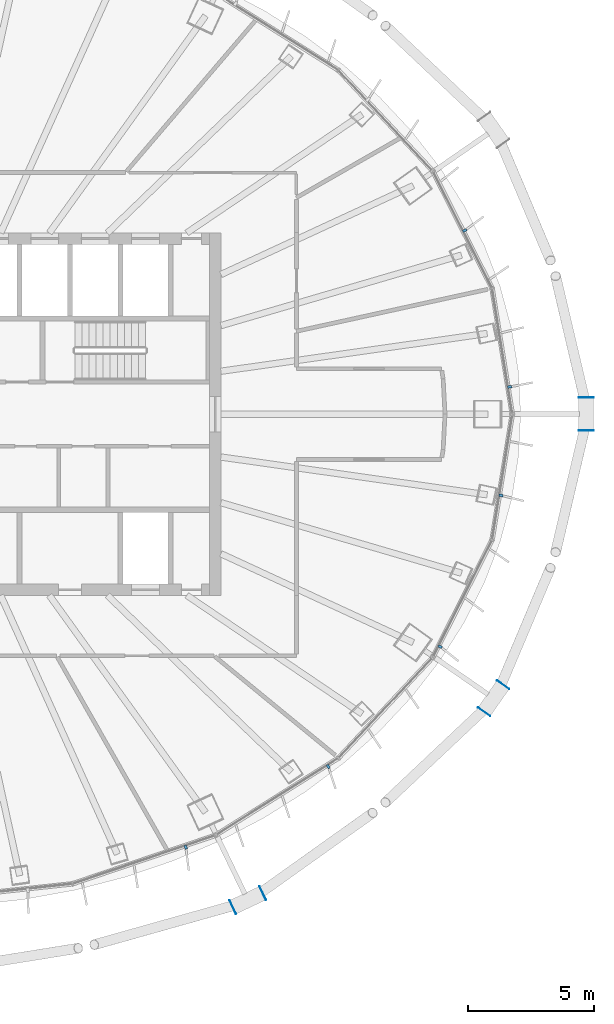
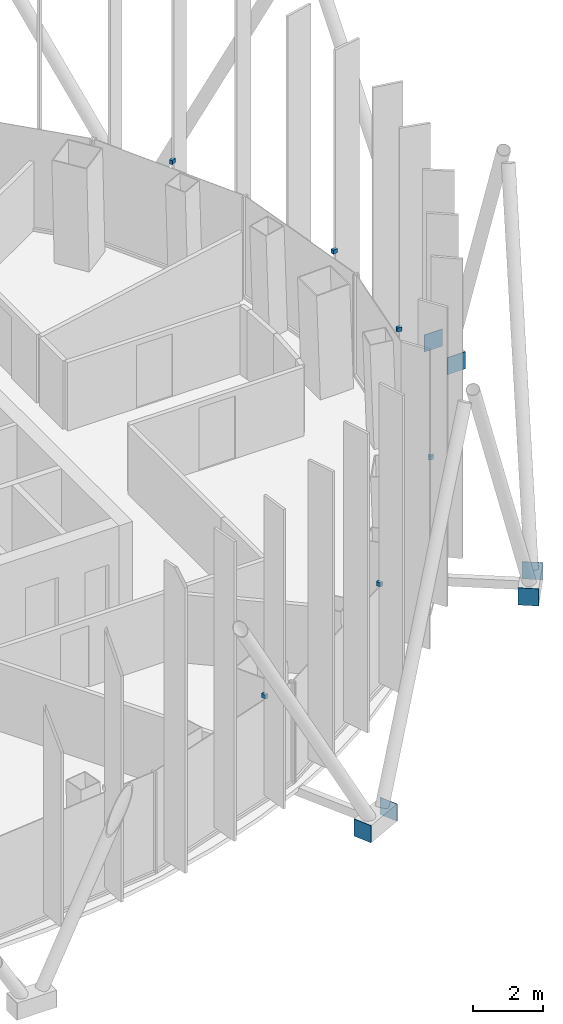
# One storey, part 13 of 19: 12 discrete accessories.
"""IFC4 building model written with IfcOpenShell, lengths in metres."""

from ifc_helpers import new_model, si_unit, direction, frame, origin, origin_2d, place, context, subcontext, project, spatial, rectangle, extrude, material, layer, layer_set, type_object, element, save


model = new_model("IFC4")

# Units and contexts
model_context = context("Model", 3, precision=1e-05, world=origin(), true_north=direction((0.0, 1.0)))
body_context = subcontext(model_context, "Body", "Model", "MODEL_VIEW")
ifc_project = project(units=[si_unit("LENGTHUNIT", "METRE"), si_unit("AREAUNIT", "SQUARE_METRE"), si_unit("VOLUMEUNIT", "CUBIC_METRE"), si_unit("PLANEANGLEUNIT", "RADIAN"), si_unit("MASSUNIT", "GRAM", prefix="KILO")], contexts=[model_context])

# Site, building, storey
site_placement = place(None, origin())
site = spatial("IfcSite", under=ifc_project, at=site_placement, CompositionType="ELEMENT")
building_placement = place(site_placement, origin())
building = spatial("IfcBuilding", under=site, at=building_placement, Name="Siaravel Broadcast Tower", CompositionType="ELEMENT")
storey_placement = place(building_placement, frame((0.0, 0.0, 168.199951171875)))
storey = spatial("IfcBuildingStorey", under=building, at=storey_placement, Name="L40", CompositionType="ELEMENT", Elevation=168.199951171875)

# Discrete accessories
ifc_material_1 = material(Name="Stainless steel 316", Category="steel")
discrete_accessory_type_1 = type_object("IfcDiscreteAccessoryType", Name="Stainless steel fin bracket", PredefinedType="USERDEFINED", material=ifc_material_1)
for number, where, z_axis, x_axis, name in (
    (1, (23.475341796875, 1.083740234375, 3.68017578125), (0.0, 0.0, 1.0), (0.987329198, 0.158685394, 0.0), "Fin bracket L40-01"),
    (2, (21.69189453125, 7.2998046875, 3.68017578125), (0.0, 0.0, 1.0), (0.892392151, 0.451260732, 0.0), "Fin bracket L40-04"),
    (3, (10.601318359375, -17.21142578125, 3.68017578125), (0.0, 0.0, 1.0), (0.321300635, -0.946977245, 0.0), "Fin bracket L40-52"),
    (4, (16.26318359375, -14.004150390625, 3.68017578125), (0.0, 0.0, 1.0), (0.532149452, -0.846650436, 0.0), "Fin bracket L40-55"),
    (5, (20.711181640625, -9.239013671875, 3.68017578125), (0.0, 0.0, 1.0), (0.892392151, -0.451260732, 0.0), "Fin bracket L40-58"),
    (6, (23.130615234375, -3.229248046875, 3.68017578125), (0.0, 0.0, 1.0), (0.987329198, -0.158685394, 0.0), "Fin bracket L40-61"),
):
    element("IfcDiscreteAccessory", number, at=place(storey_placement, frame(where, z_axis=z_axis, x_axis=x_axis)), inside=storey, type_object=discrete_accessory_type_1, Name=name, ObjectType="BRACKET", PredefinedType="USERDEFINED", context=body_context, shape_type="SweptSolid", body=[
        extrude(rectangle(XDim=0.159912109375, YDim=0.10009765625, at=origin_2d()), origin(), (0.0, 0.0, 1.0), 0.139892578125),
    ])
ifc_material_2 = material(Name="Steel S355", Category="steel")
ifc_layer = layer(ifc_material_2, 0.02001953125)
ifc_layer_set = layer_set([ifc_layer], Name="Steel S355")
discrete_accessory_type_2 = type_object("IfcDiscreteAccessoryType", Name="Steel end plate 20 mm", PredefinedType="USERDEFINED", material=ifc_layer_set)
for number, where, z_axis, x_axis, name in (
    (7, (26.5126953125, 0.65673828125, -0.5), (0.0, 0.0, 1.0), (0.0, 1.0, 0.0), "End plate R17 station 00A"),
    (8, (26.5126953125, -0.65673828125, -0.5), (0.0, 0.0, 1.0), (0.0, 1.0, 0.0), "End plate R17 station 00B"),
    (9, (13.66162109375, -19.03271484375, -0.5), (0.0, 0.0, 1.0), (0.904006456, 0.427518805, 0.0), "End plate R17 station 60A"),
    (10, (12.47412109375, -19.59423828125, -0.5), (0.0, 0.0, 1.0), (0.904006456, 0.427518805, 0.0), "End plate R17 station 60B"),
    (11, (23.21240234375, -10.7548828125, -0.5), (0.0, 0.0, 1.0), (0.576118513, 0.817366172, 0.0), "End plate R17 station 66A"),
    (12, (22.455810546875, -11.828369140625, -0.5), (0.0, 0.0, 1.0), (0.576118513, 0.817366172, 0.0), "End plate R17 station 66B"),
):
    element("IfcDiscreteAccessory", number, at=place(storey_placement, frame(where, z_axis=z_axis, x_axis=x_axis)), inside=storey, type_object=discrete_accessory_type_2, Name=name, ObjectType="END PLATE", PredefinedType="USERDEFINED", context=body_context, shape_type="SweptSolid", body=[
        extrude(rectangle(XDim=0.02001953125, YDim=0.60009765625, at=origin_2d()), origin(), (0.0, 0.0, 1.0), 0.60009765625),
    ])

save(model, "model.ifc")
